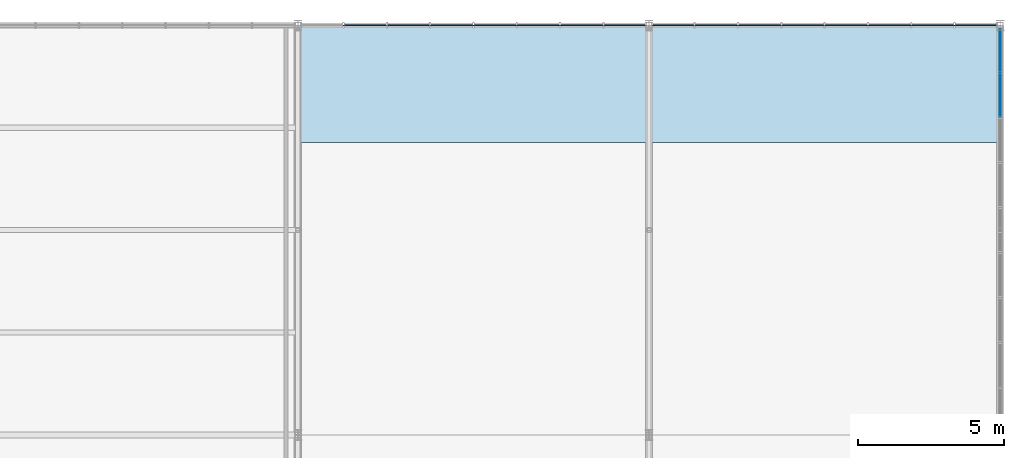
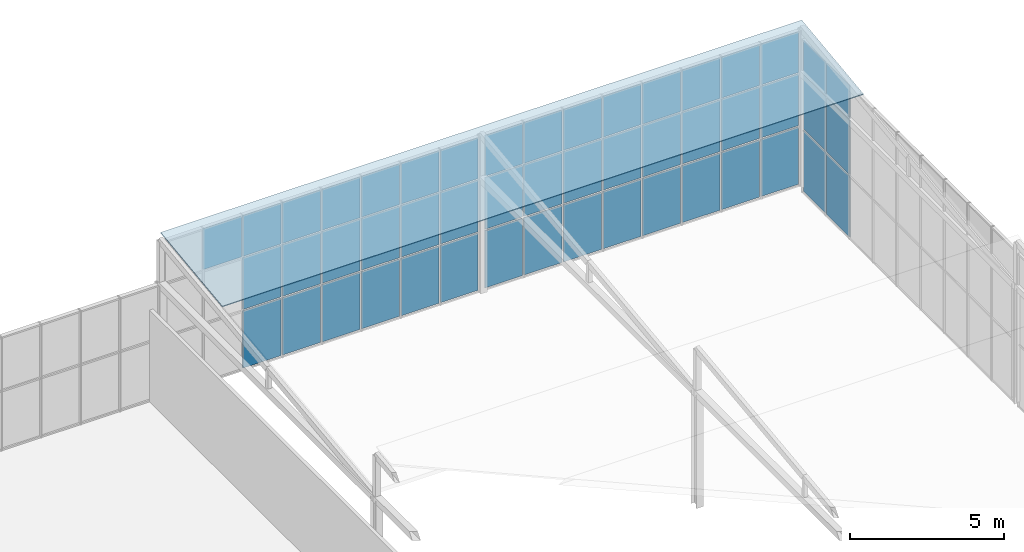
# One storey, part 91 of 104: 50 plates, 3 elements without a shape of their own.
"""IFC4 building model written with IfcOpenShell, lengths in metres."""

from ifc_helpers import new_model, si_unit, direction, frame, origin, origin_2d, place, context, subcontext, project, spatial, polyline, rectangle, outline, extrude, material, layer, layer_set, type_object, element, aggregate, save


model = new_model("IFC4")

# Units and contexts
model_context = context("Model", 3, precision=1e-05, world=origin(), true_north=direction((0.0, 1.0)))
body_context = subcontext(model_context, "Body", "Model", "MODEL_VIEW")
ifc_project = project(units=[si_unit("LENGTHUNIT", "METRE"), si_unit("AREAUNIT", "SQUARE_METRE"), si_unit("VOLUMEUNIT", "CUBIC_METRE"), si_unit("PLANEANGLEUNIT", "RADIAN"), si_unit("MASSUNIT", "GRAM", prefix="KILO")], contexts=[model_context])

# Site, building, storey
site_placement = place(None, origin())
site = spatial("IfcSite", under=ifc_project, at=site_placement, CompositionType="ELEMENT")
building_placement = place(site_placement, origin())
building = spatial("IfcBuilding", under=site, at=building_placement, Name="Solvenia Promenade Tram Depot", CompositionType="ELEMENT")
storey_placement = place(building_placement, frame((0.0, 0.0, 9.0)))
storey = spatial("IfcBuildingStorey", under=building, at=storey_placement, Name="L02", CompositionType="ELEMENT", Elevation=9.0)

# Curtain wall, plates
ifc_material_1 = material(Name="Anodized aluminium AW-6063 T6", Category="aluminium")
ifc_layer_1 = layer(ifc_material_1, 0.080078125, Name="Anodized aluminium AW-6063 T6", Category="aluminium")
ifc_layer_set_1 = layer_set([ifc_layer_1], Name="Anodized aluminium AW-6063 T6")
curtain_wall_type = type_object("IfcCurtainWallType", Name="CW-Clerest-1500", PredefinedType="NOTDEFINED", material=ifc_layer_set_1)
curtain_wall_1_placement = place(storey_placement, origin())
curtain_wall_1 = element("IfcCurtainWall", 1, at=curtain_wall_1_placement, inside=storey, type_object=curtain_wall_type, Name="Curtain Wall CW-V2E-L2-3", PredefinedType="NOTDEFINED")
ifc_material_2 = material(Name="Double low-e argon insulated glass", Category="glass")
ifc_layer_2 = layer(ifc_material_2, 0.031982421875, Name="Double low-e argon insulated glass", Category="glass")
ifc_layer_set_2 = layer_set([ifc_layer_2], Name="Double low-e argon insulated glass")
plate_type_1 = type_object("IfcPlateType", Name="CWP-Panel-2", PredefinedType="CURTAIN_PANEL", material=ifc_layer_set_2)
plate_1_placement = place(storey_placement, frame((186.0, 63.61328125, -0.195068359375), z_axis=(0.0, 0.0, 1.0), x_axis=(0.0, 1.0, 0.0)))
plate_1 = element("IfcPlate", 2, at=plate_1_placement, type_object=plate_type_1, Name="CW-4 panel 8.1", PredefinedType="CURTAIN_PANEL", context=body_context, shape_type="SweptSolid", body=[
    extrude(rectangle(XDim=1.482666015625, YDim=0.031982421875, at=origin_2d()), origin(), (0.0, 0.0, 1.0), 2.41748046875),
])
plate_2_placement = place(storey_placement, frame((186.0, 63.61328125, 2.277587890625), z_axis=(0.0, 0.0, 1.0), x_axis=(0.0, 1.0, 0.0)))
plate_2 = element("IfcPlate", 3, at=plate_2_placement, type_object=plate_type_1, Name="CW-4 panel 8.2", PredefinedType="CURTAIN_PANEL", context=body_context, shape_type="SweptSolid", body=[
    extrude(rectangle(XDim=1.482666015625, YDim=0.031982421875, at=origin_2d()), origin(), (0.0, 0.0, 1.0), 2.14501953125),
])
plate_3_placement = place(storey_placement, frame((186.0, 63.61328125, 4.4775390625), z_axis=(0.0, 0.0, 1.0), x_axis=(0.0, 1.0, 0.0)))
plate_3 = element("IfcPlate", 4, at=plate_3_placement, type_object=plate_type_1, Name="CW-4 panel 8.3", PredefinedType="CURTAIN_PANEL", context=body_context, shape_type="SweptSolid", body=[
    extrude(rectangle(XDim=1.482666015625, YDim=0.031982421875, at=origin_2d()), origin(), (0.0, 0.0, 1.0), 1.3173828125),
])
plate_4_placement = place(storey_placement, frame((186.0, 65.137451171875, -0.195068359375), z_axis=(0.0, 0.0, 1.0), x_axis=(0.0, 1.0, 0.0)))
plate_4 = element("IfcPlate", 5, at=plate_4_placement, type_object=plate_type_1, Name="CW-4 panel 9.1", PredefinedType="CURTAIN_PANEL", context=body_context, shape_type="SweptSolid", body=[
    extrude(rectangle(XDim=1.455322265625, YDim=0.031982421875, at=origin_2d()), origin(), (0.0, 0.0, 1.0), 2.41748046875),
])
plate_5_placement = place(storey_placement, frame((186.0, 65.137451171875, 2.277587890625), z_axis=(0.0, 0.0, 1.0), x_axis=(0.0, 1.0, 0.0)))
plate_5 = element("IfcPlate", 6, at=plate_5_placement, type_object=plate_type_1, Name="CW-4 panel 9.2", PredefinedType="CURTAIN_PANEL", context=body_context, shape_type="SweptSolid", body=[
    extrude(rectangle(XDim=1.455322265625, YDim=0.031982421875, at=origin_2d()), origin(), (0.0, 0.0, 1.0), 2.14501953125),
])
plate_6_placement = place(storey_placement, frame((186.0, 65.137451171875, 4.4775390625), z_axis=(0.0, 0.0, 1.0), x_axis=(0.0, 1.0, 0.0)))
plate_6 = element("IfcPlate", 7, at=plate_6_placement, type_object=plate_type_1, Name="CW-4 panel 9.3", PredefinedType="CURTAIN_PANEL", context=body_context, shape_type="SweptSolid", body=[
    extrude(rectangle(XDim=1.455322265625, YDim=0.031982421875, at=origin_2d()), origin(), (0.0, 0.0, 1.0), 1.3173828125),
])
aggregate(curtain_wall_1, [plate_1, plate_2, plate_3, plate_4, plate_5, plate_6])

curtain_wall_2_placement = place(storey_placement, origin())
curtain_wall_2 = element("IfcCurtainWall", 8, at=curtain_wall_2_placement, inside=storey, type_object=curtain_wall_type, Name="Curtain Wall CW-V2N-L2-162", PredefinedType="NOTDEFINED")
ifc_layer_3 = layer(ifc_material_2, 0.035888671875, Name="Double low-e argon insulated glass", Category="glass")
ifc_layer_set_3 = layer_set([ifc_layer_3], Name="Double low-e argon insulated glass")
plate_type_2 = type_object("IfcPlateType", Name="CWP-Panel-3", PredefinedType="CURTAIN_PANEL", material=ifc_layer_set_3)
plate_7_placement = place(storey_placement, frame((164.300048828125, 66.0, 4.47900390625), z_axis=(0.0, 0.0, 1.0), x_axis=(1.0, 0.0, 0.0)))
plate_7 = element("IfcPlate", 9, at=plate_7_placement, type_object=plate_type_2, Name="CW-4 panel 2.3", PredefinedType="CURTAIN_PANEL", context=body_context, shape_type="SweptSolid", body=[
    extrude(rectangle(XDim=1.431884765625, YDim=0.035888671875, at=origin_2d()), origin(), (0.0, 0.0, 1.0), 1.613037109375),
])
plate_8_placement = place(storey_placement, frame((165.780029296875, 66.0, 0.05810546875), z_axis=(0.0, 0.0, 1.0), x_axis=(1.0, 0.0, 0.0)))
plate_8 = element("IfcPlate", 10, at=plate_8_placement, type_object=plate_type_2, Name="CW-4 panel 3.1", PredefinedType="CURTAIN_PANEL", context=body_context, shape_type="SweptSolid", body=[
    extrude(rectangle(XDim=1.431884765625, YDim=0.035888671875, at=origin_2d()), origin(), (0.0, 0.0, 1.0), 2.262939453125),
])
plate_9_placement = place(storey_placement, frame((165.780029296875, 66.0, 2.37890625), z_axis=(0.0, 0.0, 1.0), x_axis=(1.0, 0.0, 0.0)))
plate_9 = element("IfcPlate", 11, at=plate_9_placement, type_object=plate_type_2, Name="CW-4 panel 3.2", PredefinedType="CURTAIN_PANEL", context=body_context, shape_type="SweptSolid", body=[
    extrude(rectangle(XDim=1.431884765625, YDim=0.035888671875, at=origin_2d()), origin(), (0.0, 0.0, 1.0), 2.0419921875),
])
plate_10_placement = place(storey_placement, frame((165.780029296875, 66.0, 4.47900390625), z_axis=(0.0, 0.0, 1.0), x_axis=(1.0, 0.0, 0.0)))
plate_10 = element("IfcPlate", 12, at=plate_10_placement, type_object=plate_type_2, Name="CW-4 panel 3.3", PredefinedType="CURTAIN_PANEL", context=body_context, shape_type="SweptSolid", body=[
    extrude(rectangle(XDim=1.431884765625, YDim=0.035888671875, at=origin_2d()), origin(), (0.0, 0.0, 1.0), 1.613037109375),
])
plate_11_placement = place(storey_placement, frame((167.260009765625, 66.0, 0.05810546875), z_axis=(0.0, 0.0, 1.0), x_axis=(1.0, 0.0, 0.0)))
plate_11 = element("IfcPlate", 13, at=plate_11_placement, type_object=plate_type_2, Name="CW-4 panel 4.1", PredefinedType="CURTAIN_PANEL", context=body_context, shape_type="SweptSolid", body=[
    extrude(rectangle(XDim=1.431884765625, YDim=0.035888671875, at=origin_2d()), origin(), (0.0, 0.0, 1.0), 2.262939453125),
])
plate_12_placement = place(storey_placement, frame((167.260009765625, 66.0, 2.37890625), z_axis=(0.0, 0.0, 1.0), x_axis=(1.0, 0.0, 0.0)))
plate_12 = element("IfcPlate", 14, at=plate_12_placement, type_object=plate_type_2, Name="CW-4 panel 4.2", PredefinedType="CURTAIN_PANEL", context=body_context, shape_type="SweptSolid", body=[
    extrude(rectangle(XDim=1.431884765625, YDim=0.035888671875, at=origin_2d()), origin(), (0.0, 0.0, 1.0), 2.0419921875),
])
plate_13_placement = place(storey_placement, frame((167.260009765625, 66.0, 4.47900390625), z_axis=(0.0, 0.0, 1.0), x_axis=(1.0, 0.0, 0.0)))
plate_13 = element("IfcPlate", 15, at=plate_13_placement, type_object=plate_type_2, Name="CW-4 panel 4.3", PredefinedType="CURTAIN_PANEL", context=body_context, shape_type="SweptSolid", body=[
    extrude(rectangle(XDim=1.431884765625, YDim=0.035888671875, at=origin_2d()), origin(), (0.0, 0.0, 1.0), 1.613037109375),
])
plate_14_placement = place(storey_placement, frame((168.739990234375, 66.0, 0.05810546875), z_axis=(0.0, 0.0, 1.0), x_axis=(1.0, 0.0, 0.0)))
plate_14 = element("IfcPlate", 16, at=plate_14_placement, type_object=plate_type_2, Name="CW-4 panel 5.1", PredefinedType="CURTAIN_PANEL", context=body_context, shape_type="SweptSolid", body=[
    extrude(rectangle(XDim=1.431884765625, YDim=0.035888671875, at=origin_2d()), origin(), (0.0, 0.0, 1.0), 2.262939453125),
])
plate_15_placement = place(storey_placement, frame((168.739990234375, 66.0, 2.37890625), z_axis=(0.0, 0.0, 1.0), x_axis=(1.0, 0.0, 0.0)))
plate_15 = element("IfcPlate", 17, at=plate_15_placement, type_object=plate_type_2, Name="CW-4 panel 5.2", PredefinedType="CURTAIN_PANEL", context=body_context, shape_type="SweptSolid", body=[
    extrude(rectangle(XDim=1.431884765625, YDim=0.035888671875, at=origin_2d()), origin(), (0.0, 0.0, 1.0), 2.0419921875),
])
plate_16_placement = place(storey_placement, frame((168.739990234375, 66.0, 4.47900390625), z_axis=(0.0, 0.0, 1.0), x_axis=(1.0, 0.0, 0.0)))
plate_16 = element("IfcPlate", 18, at=plate_16_placement, type_object=plate_type_2, Name="CW-4 panel 5.3", PredefinedType="CURTAIN_PANEL", context=body_context, shape_type="SweptSolid", body=[
    extrude(rectangle(XDim=1.431884765625, YDim=0.035888671875, at=origin_2d()), origin(), (0.0, 0.0, 1.0), 1.613037109375),
])
plate_17_placement = place(storey_placement, frame((170.219970703125, 66.0, 0.05810546875), z_axis=(0.0, 0.0, 1.0), x_axis=(1.0, 0.0, 0.0)))
plate_17 = element("IfcPlate", 19, at=plate_17_placement, type_object=plate_type_2, Name="CW-4 panel 6.1", PredefinedType="CURTAIN_PANEL", context=body_context, shape_type="SweptSolid", body=[
    extrude(rectangle(XDim=1.431884765625, YDim=0.035888671875, at=origin_2d()), origin(), (0.0, 0.0, 1.0), 2.262939453125),
])
plate_18_placement = place(storey_placement, frame((170.219970703125, 66.0, 2.37890625), z_axis=(0.0, 0.0, 1.0), x_axis=(1.0, 0.0, 0.0)))
plate_18 = element("IfcPlate", 20, at=plate_18_placement, type_object=plate_type_2, Name="CW-4 panel 6.2", PredefinedType="CURTAIN_PANEL", context=body_context, shape_type="SweptSolid", body=[
    extrude(rectangle(XDim=1.431884765625, YDim=0.035888671875, at=origin_2d()), origin(), (0.0, 0.0, 1.0), 2.0419921875),
])
plate_19_placement = place(storey_placement, frame((170.219970703125, 66.0, 4.47900390625), z_axis=(0.0, 0.0, 1.0), x_axis=(1.0, 0.0, 0.0)))
plate_19 = element("IfcPlate", 21, at=plate_19_placement, type_object=plate_type_2, Name="CW-4 panel 6.3", PredefinedType="CURTAIN_PANEL", context=body_context, shape_type="SweptSolid", body=[
    extrude(rectangle(XDim=1.431884765625, YDim=0.035888671875, at=origin_2d()), origin(), (0.0, 0.0, 1.0), 1.613037109375),
])
plate_20_placement = place(storey_placement, frame((171.699951171875, 66.0, 0.05810546875), z_axis=(0.0, 0.0, 1.0), x_axis=(1.0, 0.0, 0.0)))
plate_20 = element("IfcPlate", 22, at=plate_20_placement, type_object=plate_type_2, Name="CW-4 panel 7.1", PredefinedType="CURTAIN_PANEL", context=body_context, shape_type="SweptSolid", body=[
    extrude(rectangle(XDim=1.431884765625, YDim=0.035888671875, at=origin_2d()), origin(), (0.0, 0.0, 1.0), 2.262939453125),
])
plate_21_placement = place(storey_placement, frame((171.699951171875, 66.0, 2.37890625), z_axis=(0.0, 0.0, 1.0), x_axis=(1.0, 0.0, 0.0)))
plate_21 = element("IfcPlate", 23, at=plate_21_placement, type_object=plate_type_2, Name="CW-4 panel 7.2", PredefinedType="CURTAIN_PANEL", context=body_context, shape_type="SweptSolid", body=[
    extrude(rectangle(XDim=1.431884765625, YDim=0.035888671875, at=origin_2d()), origin(), (0.0, 0.0, 1.0), 2.0419921875),
])
plate_22_placement = place(storey_placement, frame((171.699951171875, 66.0, 4.47900390625), z_axis=(0.0, 0.0, 1.0), x_axis=(1.0, 0.0, 0.0)))
plate_22 = element("IfcPlate", 24, at=plate_22_placement, type_object=plate_type_2, Name="CW-4 panel 7.3", PredefinedType="CURTAIN_PANEL", context=body_context, shape_type="SweptSolid", body=[
    extrude(rectangle(XDim=1.431884765625, YDim=0.035888671875, at=origin_2d()), origin(), (0.0, 0.0, 1.0), 1.613037109375),
])
plate_23_placement = place(storey_placement, frame((173.16796875, 66.0, 0.05810546875), z_axis=(0.0, 0.0, 1.0), x_axis=(1.0, 0.0, 0.0)))
plate_23 = element("IfcPlate", 25, at=plate_23_placement, type_object=plate_type_2, Name="CW-4 panel 8.1", PredefinedType="CURTAIN_PANEL", context=body_context, shape_type="SweptSolid", body=[
    extrude(rectangle(XDim=1.407958984375, YDim=0.035888671875, at=origin_2d()), origin(), (0.0, 0.0, 1.0), 2.262939453125),
])
plate_24_placement = place(storey_placement, frame((173.16796875, 66.0, 2.37890625), z_axis=(0.0, 0.0, 1.0), x_axis=(1.0, 0.0, 0.0)))
plate_24 = element("IfcPlate", 26, at=plate_24_placement, type_object=plate_type_2, Name="CW-4 panel 8.2", PredefinedType="CURTAIN_PANEL", context=body_context, shape_type="SweptSolid", body=[
    extrude(rectangle(XDim=1.407958984375, YDim=0.035888671875, at=origin_2d()), origin(), (0.0, 0.0, 1.0), 2.0419921875),
])
plate_25_placement = place(storey_placement, frame((173.16796875, 66.0, 4.47900390625), z_axis=(0.0, 0.0, 1.0), x_axis=(1.0, 0.0, 0.0)))
plate_25 = element("IfcPlate", 27, at=plate_25_placement, type_object=plate_type_2, Name="CW-4 panel 8.3", PredefinedType="CURTAIN_PANEL", context=body_context, shape_type="SweptSolid", body=[
    extrude(rectangle(XDim=1.407958984375, YDim=0.035888671875, at=origin_2d()), origin(), (0.0, 0.0, 1.0), 1.613037109375),
])
aggregate(curtain_wall_2, [plate_7, plate_8, plate_9, plate_10, plate_11, plate_12, plate_13, plate_14, plate_15, plate_16, plate_17, plate_18, plate_19, plate_20, plate_21, plate_22, plate_23, plate_24, plate_25])

curtain_wall_3_placement = place(storey_placement, origin())
curtain_wall_3 = element("IfcCurtainWall", 28, at=curtain_wall_3_placement, inside=storey, type_object=curtain_wall_type, Name="Curtain Wall CW-V2N-L2-174", PredefinedType="NOTDEFINED")
plate_26_placement = place(storey_placement, frame((174.83203125, 66.0, 0.05810546875), z_axis=(0.0, 0.0, 1.0), x_axis=(1.0, 0.0, 0.0)))
plate_26 = element("IfcPlate", 29, at=plate_26_placement, type_object=plate_type_2, Name="CW-4 panel 1.1", PredefinedType="CURTAIN_PANEL", context=body_context, shape_type="SweptSolid", body=[
    extrude(rectangle(XDim=1.407958984375, YDim=0.035888671875, at=origin_2d()), origin(), (0.0, 0.0, 1.0), 2.262939453125),
])
plate_27_placement = place(storey_placement, frame((174.83203125, 66.0, 2.37890625), z_axis=(0.0, 0.0, 1.0), x_axis=(1.0, 0.0, 0.0)))
plate_27 = element("IfcPlate", 30, at=plate_27_placement, type_object=plate_type_2, Name="CW-4 panel 1.2", PredefinedType="CURTAIN_PANEL", context=body_context, shape_type="SweptSolid", body=[
    extrude(rectangle(XDim=1.407958984375, YDim=0.035888671875, at=origin_2d()), origin(), (0.0, 0.0, 1.0), 2.0419921875),
])
plate_28_placement = place(storey_placement, frame((174.83203125, 66.0, 4.47900390625), z_axis=(0.0, 0.0, 1.0), x_axis=(1.0, 0.0, 0.0)))
plate_28 = element("IfcPlate", 31, at=plate_28_placement, type_object=plate_type_2, Name="CW-4 panel 1.3", PredefinedType="CURTAIN_PANEL", context=body_context, shape_type="SweptSolid", body=[
    extrude(rectangle(XDim=1.407958984375, YDim=0.035888671875, at=origin_2d()), origin(), (0.0, 0.0, 1.0), 1.613037109375),
])
plate_29_placement = place(storey_placement, frame((176.300048828125, 66.0, 0.05810546875), z_axis=(0.0, 0.0, 1.0), x_axis=(1.0, 0.0, 0.0)))
plate_29 = element("IfcPlate", 32, at=plate_29_placement, type_object=plate_type_2, Name="CW-4 panel 2.1", PredefinedType="CURTAIN_PANEL", context=body_context, shape_type="SweptSolid", body=[
    extrude(rectangle(XDim=1.431884765625, YDim=0.035888671875, at=origin_2d()), origin(), (0.0, 0.0, 1.0), 2.262939453125),
])
plate_30_placement = place(storey_placement, frame((176.300048828125, 66.0, 2.37890625), z_axis=(0.0, 0.0, 1.0), x_axis=(1.0, 0.0, 0.0)))
plate_30 = element("IfcPlate", 33, at=plate_30_placement, type_object=plate_type_2, Name="CW-4 panel 2.2", PredefinedType="CURTAIN_PANEL", context=body_context, shape_type="SweptSolid", body=[
    extrude(rectangle(XDim=1.431884765625, YDim=0.035888671875, at=origin_2d()), origin(), (0.0, 0.0, 1.0), 2.0419921875),
])
plate_31_placement = place(storey_placement, frame((176.300048828125, 66.0, 4.47900390625), z_axis=(0.0, 0.0, 1.0), x_axis=(1.0, 0.0, 0.0)))
plate_31 = element("IfcPlate", 34, at=plate_31_placement, type_object=plate_type_2, Name="CW-4 panel 2.3", PredefinedType="CURTAIN_PANEL", context=body_context, shape_type="SweptSolid", body=[
    extrude(rectangle(XDim=1.431884765625, YDim=0.035888671875, at=origin_2d()), origin(), (0.0, 0.0, 1.0), 1.613037109375),
])
plate_32_placement = place(storey_placement, frame((177.780029296875, 66.0, 0.05810546875), z_axis=(0.0, 0.0, 1.0), x_axis=(1.0, 0.0, 0.0)))
plate_32 = element("IfcPlate", 35, at=plate_32_placement, type_object=plate_type_2, Name="CW-4 panel 3.1", PredefinedType="CURTAIN_PANEL", context=body_context, shape_type="SweptSolid", body=[
    extrude(rectangle(XDim=1.431884765625, YDim=0.035888671875, at=origin_2d()), origin(), (0.0, 0.0, 1.0), 2.262939453125),
])
plate_33_placement = place(storey_placement, frame((177.780029296875, 66.0, 2.37890625), z_axis=(0.0, 0.0, 1.0), x_axis=(1.0, 0.0, 0.0)))
plate_33 = element("IfcPlate", 36, at=plate_33_placement, type_object=plate_type_2, Name="CW-4 panel 3.2", PredefinedType="CURTAIN_PANEL", context=body_context, shape_type="SweptSolid", body=[
    extrude(rectangle(XDim=1.431884765625, YDim=0.035888671875, at=origin_2d()), origin(), (0.0, 0.0, 1.0), 2.0419921875),
])
plate_34_placement = place(storey_placement, frame((177.780029296875, 66.0, 4.47900390625), z_axis=(0.0, 0.0, 1.0), x_axis=(1.0, 0.0, 0.0)))
plate_34 = element("IfcPlate", 37, at=plate_34_placement, type_object=plate_type_2, Name="CW-4 panel 3.3", PredefinedType="CURTAIN_PANEL", context=body_context, shape_type="SweptSolid", body=[
    extrude(rectangle(XDim=1.431884765625, YDim=0.035888671875, at=origin_2d()), origin(), (0.0, 0.0, 1.0), 1.613037109375),
])
plate_35_placement = place(storey_placement, frame((179.260009765625, 66.0, 0.05810546875), z_axis=(0.0, 0.0, 1.0), x_axis=(1.0, 0.0, 0.0)))
plate_35 = element("IfcPlate", 38, at=plate_35_placement, type_object=plate_type_2, Name="CW-4 panel 4.1", PredefinedType="CURTAIN_PANEL", context=body_context, shape_type="SweptSolid", body=[
    extrude(rectangle(XDim=1.431884765625, YDim=0.035888671875, at=origin_2d()), origin(), (0.0, 0.0, 1.0), 2.262939453125),
])
plate_36_placement = place(storey_placement, frame((179.260009765625, 66.0, 2.37890625), z_axis=(0.0, 0.0, 1.0), x_axis=(1.0, 0.0, 0.0)))
plate_36 = element("IfcPlate", 39, at=plate_36_placement, type_object=plate_type_2, Name="CW-4 panel 4.2", PredefinedType="CURTAIN_PANEL", context=body_context, shape_type="SweptSolid", body=[
    extrude(rectangle(XDim=1.431884765625, YDim=0.035888671875, at=origin_2d()), origin(), (0.0, 0.0, 1.0), 2.0419921875),
])
plate_37_placement = place(storey_placement, frame((179.260009765625, 66.0, 4.47900390625), z_axis=(0.0, 0.0, 1.0), x_axis=(1.0, 0.0, 0.0)))
plate_37 = element("IfcPlate", 40, at=plate_37_placement, type_object=plate_type_2, Name="CW-4 panel 4.3", PredefinedType="CURTAIN_PANEL", context=body_context, shape_type="SweptSolid", body=[
    extrude(rectangle(XDim=1.431884765625, YDim=0.035888671875, at=origin_2d()), origin(), (0.0, 0.0, 1.0), 1.613037109375),
])
plate_38_placement = place(storey_placement, frame((180.739990234375, 66.0, 0.05810546875), z_axis=(0.0, 0.0, 1.0), x_axis=(1.0, 0.0, 0.0)))
plate_38 = element("IfcPlate", 41, at=plate_38_placement, type_object=plate_type_2, Name="CW-4 panel 5.1", PredefinedType="CURTAIN_PANEL", context=body_context, shape_type="SweptSolid", body=[
    extrude(rectangle(XDim=1.431884765625, YDim=0.035888671875, at=origin_2d()), origin(), (0.0, 0.0, 1.0), 2.262939453125),
])
plate_39_placement = place(storey_placement, frame((180.739990234375, 66.0, 2.37890625), z_axis=(0.0, 0.0, 1.0), x_axis=(1.0, 0.0, 0.0)))
plate_39 = element("IfcPlate", 42, at=plate_39_placement, type_object=plate_type_2, Name="CW-4 panel 5.2", PredefinedType="CURTAIN_PANEL", context=body_context, shape_type="SweptSolid", body=[
    extrude(rectangle(XDim=1.431884765625, YDim=0.035888671875, at=origin_2d()), origin(), (0.0, 0.0, 1.0), 2.0419921875),
])
plate_40_placement = place(storey_placement, frame((180.739990234375, 66.0, 4.47900390625), z_axis=(0.0, 0.0, 1.0), x_axis=(1.0, 0.0, 0.0)))
plate_40 = element("IfcPlate", 43, at=plate_40_placement, type_object=plate_type_2, Name="CW-4 panel 5.3", PredefinedType="CURTAIN_PANEL", context=body_context, shape_type="SweptSolid", body=[
    extrude(rectangle(XDim=1.431884765625, YDim=0.035888671875, at=origin_2d()), origin(), (0.0, 0.0, 1.0), 1.613037109375),
])
plate_41_placement = place(storey_placement, frame((182.219970703125, 66.0, 0.05810546875), z_axis=(0.0, 0.0, 1.0), x_axis=(1.0, 0.0, 0.0)))
plate_41 = element("IfcPlate", 44, at=plate_41_placement, type_object=plate_type_2, Name="CW-4 panel 6.1", PredefinedType="CURTAIN_PANEL", context=body_context, shape_type="SweptSolid", body=[
    extrude(rectangle(XDim=1.431884765625, YDim=0.035888671875, at=origin_2d()), origin(), (0.0, 0.0, 1.0), 2.262939453125),
])
plate_42_placement = place(storey_placement, frame((182.219970703125, 66.0, 2.37890625), z_axis=(0.0, 0.0, 1.0), x_axis=(1.0, 0.0, 0.0)))
plate_42 = element("IfcPlate", 45, at=plate_42_placement, type_object=plate_type_2, Name="CW-4 panel 6.2", PredefinedType="CURTAIN_PANEL", context=body_context, shape_type="SweptSolid", body=[
    extrude(rectangle(XDim=1.431884765625, YDim=0.035888671875, at=origin_2d()), origin(), (0.0, 0.0, 1.0), 2.0419921875),
])
plate_43_placement = place(storey_placement, frame((182.219970703125, 66.0, 4.47900390625), z_axis=(0.0, 0.0, 1.0), x_axis=(1.0, 0.0, 0.0)))
plate_43 = element("IfcPlate", 46, at=plate_43_placement, type_object=plate_type_2, Name="CW-4 panel 6.3", PredefinedType="CURTAIN_PANEL", context=body_context, shape_type="SweptSolid", body=[
    extrude(rectangle(XDim=1.431884765625, YDim=0.035888671875, at=origin_2d()), origin(), (0.0, 0.0, 1.0), 1.613037109375),
])
plate_44_placement = place(storey_placement, frame((183.699951171875, 66.0, 0.05810546875), z_axis=(0.0, 0.0, 1.0), x_axis=(1.0, 0.0, 0.0)))
plate_44 = element("IfcPlate", 47, at=plate_44_placement, type_object=plate_type_2, Name="CW-4 panel 7.1", PredefinedType="CURTAIN_PANEL", context=body_context, shape_type="SweptSolid", body=[
    extrude(rectangle(XDim=1.431884765625, YDim=0.035888671875, at=origin_2d()), origin(), (0.0, 0.0, 1.0), 2.262939453125),
])
plate_45_placement = place(storey_placement, frame((183.699951171875, 66.0, 2.37890625), z_axis=(0.0, 0.0, 1.0), x_axis=(1.0, 0.0, 0.0)))
plate_45 = element("IfcPlate", 48, at=plate_45_placement, type_object=plate_type_2, Name="CW-4 panel 7.2", PredefinedType="CURTAIN_PANEL", context=body_context, shape_type="SweptSolid", body=[
    extrude(rectangle(XDim=1.431884765625, YDim=0.035888671875, at=origin_2d()), origin(), (0.0, 0.0, 1.0), 2.0419921875),
])
plate_46_placement = place(storey_placement, frame((183.699951171875, 66.0, 4.47900390625), z_axis=(0.0, 0.0, 1.0), x_axis=(1.0, 0.0, 0.0)))
plate_46 = element("IfcPlate", 49, at=plate_46_placement, type_object=plate_type_2, Name="CW-4 panel 7.3", PredefinedType="CURTAIN_PANEL", context=body_context, shape_type="SweptSolid", body=[
    extrude(rectangle(XDim=1.431884765625, YDim=0.035888671875, at=origin_2d()), origin(), (0.0, 0.0, 1.0), 1.613037109375),
])
plate_47_placement = place(storey_placement, frame((185.16796875, 66.0, 0.05810546875), z_axis=(0.0, 0.0, 1.0), x_axis=(1.0, 0.0, 0.0)))
plate_47 = element("IfcPlate", 50, at=plate_47_placement, type_object=plate_type_2, Name="CW-4 panel 8.1", PredefinedType="CURTAIN_PANEL", context=body_context, shape_type="SweptSolid", body=[
    extrude(rectangle(XDim=1.407958984375, YDim=0.035888671875, at=origin_2d()), origin(), (0.0, 0.0, 1.0), 2.262939453125),
])
plate_48_placement = place(storey_placement, frame((185.16796875, 66.0, 2.37890625), z_axis=(0.0, 0.0, 1.0), x_axis=(1.0, 0.0, 0.0)))
plate_48 = element("IfcPlate", 51, at=plate_48_placement, type_object=plate_type_2, Name="CW-4 panel 8.2", PredefinedType="CURTAIN_PANEL", context=body_context, shape_type="SweptSolid", body=[
    extrude(rectangle(XDim=1.407958984375, YDim=0.035888671875, at=origin_2d()), origin(), (0.0, 0.0, 1.0), 2.0419921875),
])
plate_49_placement = place(storey_placement, frame((185.16796875, 66.0, 4.47900390625), z_axis=(0.0, 0.0, 1.0), x_axis=(1.0, 0.0, 0.0)))
plate_49 = element("IfcPlate", 52, at=plate_49_placement, type_object=plate_type_2, Name="CW-4 panel 8.3", PredefinedType="CURTAIN_PANEL", context=body_context, shape_type="SweptSolid", body=[
    extrude(rectangle(XDim=1.407958984375, YDim=0.035888671875, at=origin_2d()), origin(), (0.0, 0.0, 1.0), 1.613037109375),
])
aggregate(curtain_wall_3, [plate_26, plate_27, plate_28, plate_29, plate_30, plate_31, plate_32, plate_33, plate_34, plate_35, plate_36, plate_37, plate_38, plate_39, plate_40, plate_41, plate_42, plate_43, plate_44, plate_45, plate_46, plate_47, plate_48, plate_49])

# Plate
ifc_material_3 = material(Name="Translucent multi-wall insulated polycarbonate cassette", Category="other")
ifc_layer_4 = layer(ifc_material_3, 0.0380859375, Name="Translucent multi-wall insulated polycarbonate cassette", Category="other")
ifc_layer_set_4 = layer_set([ifc_layer_4], Name="Translucent multi-wall insulated polycarbonate cassette")
plate_type_3 = type_object("IfcPlateType", Name="DaylightCassette-3", PredefinedType="SHEET", material=ifc_layer_set_4)
plate_50_placement = place(storey_placement, frame((162.0, 62.0, 6.0), z_axis=(0.0, -0.124034734589, 0.992277876714), x_axis=(1.0, 0.0, 0.0)))
element("IfcPlate", 53, at=plate_50_placement, inside=storey, type_object=plate_type_3, Name="East Workshop North-Light Skylight 2", PredefinedType="SHEET", context=body_context, shape_type="SweptSolid", body=[
    extrude(outline(polyline([(0.0, 0.0), (24.0, 0.0), (24.0, 4.0311288741492755), (0.0, 4.0311288741492755), (0.0, 0.0)])), origin(), (0.0, 0.0, -1.0), 0.0380859375),
])

save(model, "model.ifc")
